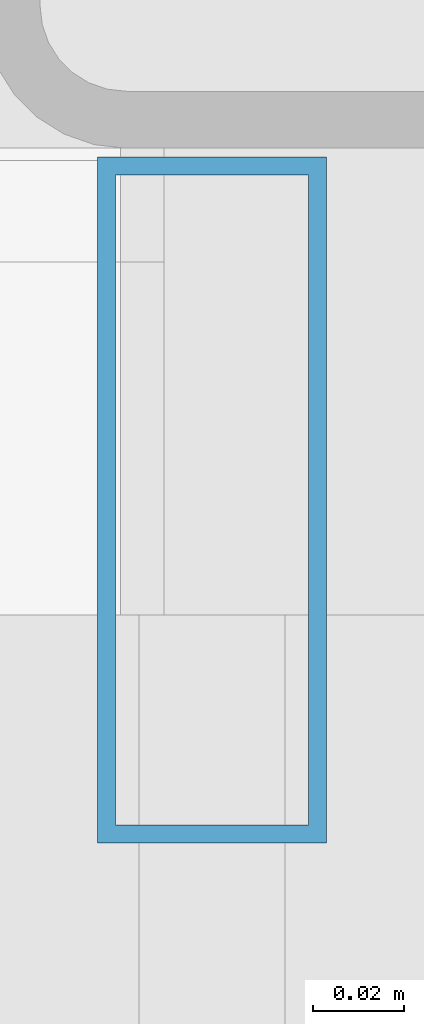
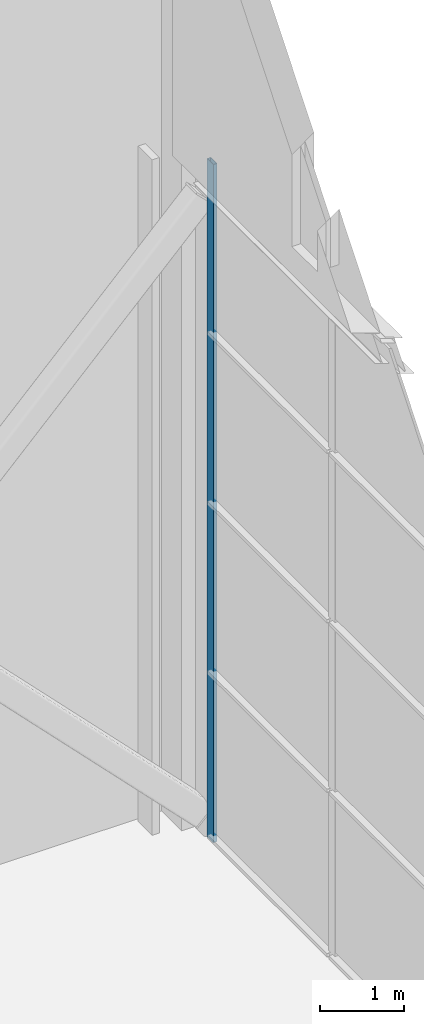
# One storey, part 79 of 111: 1 member, 1 element without a shape of its own.
"""IFC4 building model written with IfcOpenShell, lengths in metres."""

from ifc_helpers import new_model, si_unit, direction, frame, origin, origin_2d, place, context, subcontext, project, spatial, hollow_rectangle, extrude, material, layer, layer_set, material_profile, profile_set, type_object, element, aggregate, save


model = new_model("IFC4")

# Units and contexts
model_context = context("Model", 3, precision=1e-05, world=origin(), true_north=direction((0.0, 1.0)))
body_context = subcontext(model_context, "Body", "Model", "MODEL_VIEW")
ifc_project = project(units=[si_unit("LENGTHUNIT", "METRE"), si_unit("AREAUNIT", "SQUARE_METRE"), si_unit("VOLUMEUNIT", "CUBIC_METRE"), si_unit("PLANEANGLEUNIT", "RADIAN"), si_unit("MASSUNIT", "GRAM", prefix="KILO")], contexts=[model_context])

# Site, building, storey
site_placement = place(None, origin())
site = spatial("IfcSite", under=ifc_project, at=site_placement, CompositionType="ELEMENT")
building_placement = place(site_placement, origin())
building = spatial("IfcBuilding", under=site, at=building_placement, Name="Shorebreak Coast Museum", CompositionType="ELEMENT")
storey_placement = place(building_placement, frame((0.0, 0.0, 16.0)))
storey = spatial("IfcBuildingStorey", under=building, at=storey_placement, Name="L03", CompositionType="ELEMENT", Elevation=16.0)

# Curtain wall, member
ifc_material_1 = material(Name="Aluminium", Category="aluminium")
ifc_layer = layer(ifc_material_1, 0.14990234375)
ifc_layer_set = layer_set([ifc_layer], Name="Aluminium")
curtain_wall_type = type_object("IfcCurtainWallType", Name="Storefront curtain wall", PredefinedType="NOTDEFINED", material=ifc_layer_set)
curtain_wall_placement = place(storey_placement, origin())
curtain_wall = element("IfcCurtainWall", 1, at=curtain_wall_placement, inside=storey, type_object=curtain_wall_type, Name="Gallery end glazing L03 E 2", PredefinedType="NOTDEFINED")
ifc_material_2 = material(Name="Aluminium", Category="aluminium")
ifc_material_profile = material_profile(ifc_material_2, hollow_rectangle(XDim=0.050048828125, YDim=0.14990234375, WallThickness=0.00390625, at=origin_2d()), Name="AL 150x50 RHS")
ifc_profile_set = profile_set([ifc_material_profile], Name="Aluminium")
member_type = type_object("IfcMemberType", Name="Storefront mullion 50 x 150", PredefinedType="MULLION", material=ifc_profile_set)
member_placement = place(storey_placement, frame((170.925048828125, 80.798095703125, 0.0), z_axis=(0.0, 0.0, 1.0), x_axis=(-1.0, 0.0, 0.0)))
member = element("IfcMember", 2, at=member_placement, type_object=member_type, Name="CW9 mullion 4", PredefinedType="MULLION", context=body_context, shape_type="SweptSolid", body=[
    extrude(hollow_rectangle(XDim=0.050048828125, YDim=0.14990234375, WallThickness=0.00390625, at=origin_2d()), origin(), (0.0, 0.0, 1.0), 9.800048828125),
])
aggregate(curtain_wall, [member])

save(model, "model.ifc")
